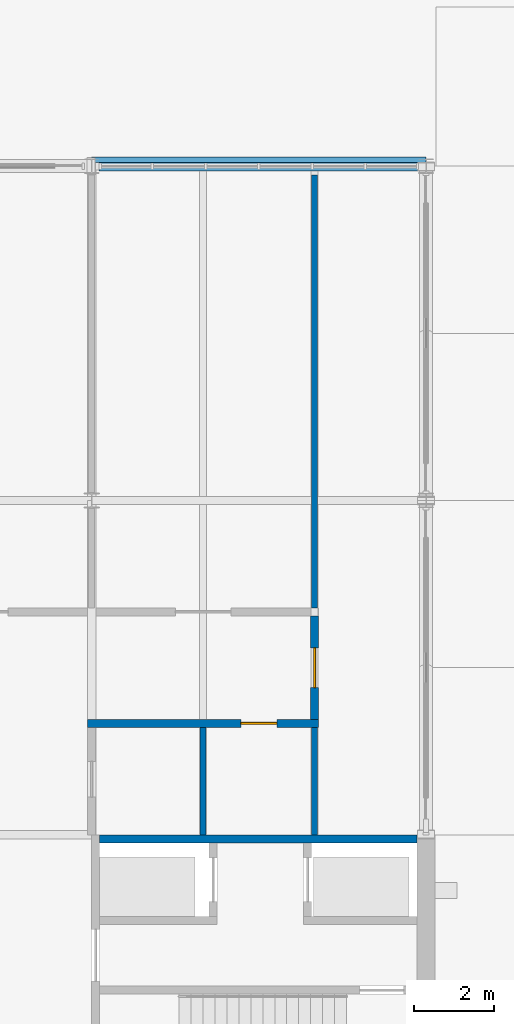
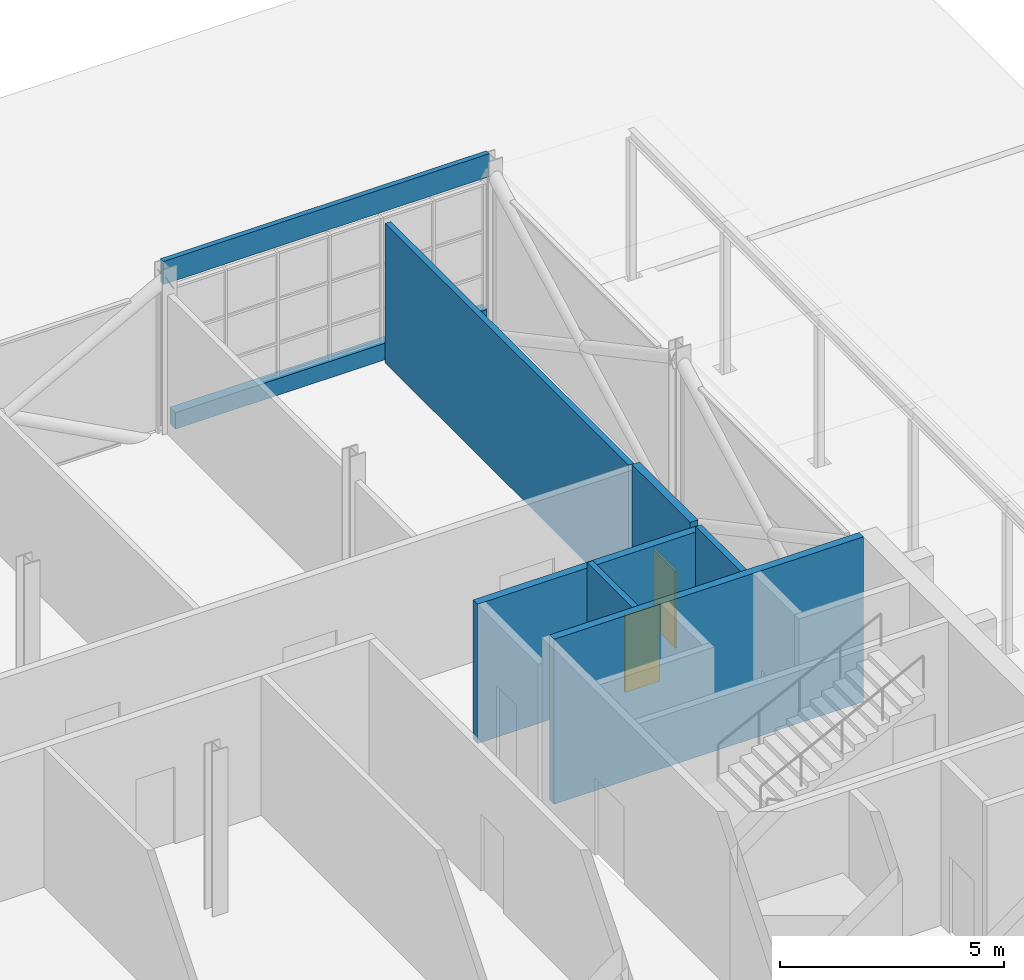
# One storey, part 96 of 116: 8 walls, 2 doors, 2 openings.
"""IFC4 building model written with IfcOpenShell, lengths in metres."""

from ifc_helpers import new_model, si_unit, direction, frame, frame_2d, origin, place, context, subcontext, project, spatial, rectangle, extrude, material, layer, layer_set, type_object, element, fill, save


model = new_model("IFC4")

# Units and contexts
model_context = context("Model", 3, precision=1e-05, world=origin(), true_north=direction((0.0, 1.0)))
body_context = subcontext(model_context, "Body", "Model", "MODEL_VIEW")
ifc_project = project(units=[si_unit("LENGTHUNIT", "METRE"), si_unit("AREAUNIT", "SQUARE_METRE"), si_unit("VOLUMEUNIT", "CUBIC_METRE"), si_unit("PLANEANGLEUNIT", "RADIAN"), si_unit("MASSUNIT", "GRAM", prefix="KILO")], contexts=[model_context])

# Site, building, storey
site_placement = place(None, origin())
site = spatial("IfcSite", under=ifc_project, at=site_placement, CompositionType="ELEMENT")
building_placement = place(site_placement, origin())
building = spatial("IfcBuilding", under=site, at=building_placement, Name="Ardhachandra Cancer Care Centre", CompositionType="ELEMENT")
storey_placement = place(building_placement, origin())
storey = spatial("IfcBuildingStorey", under=building, at=storey_placement, Name="L00", CompositionType="ELEMENT", Elevation=0.0)

# Wall, opening, door
ifc_material_1 = material(Name="Gypsum board corridor partition on steel studs", Category="steel")
ifc_layer_1 = layer(ifc_material_1, 0.199951171875)
ifc_layer_set_1 = layer_set([ifc_layer_1], Name="Gypsum board corridor partition on steel studs")
wall_type_1 = type_object("IfcWallType", Name="CORRIDOR WALL 200", PredefinedType="PARTITIONING", material=ifc_layer_set_1)
wall_1_placement = place(storey_placement, frame((136.699951171875, 91.0, 0.0), z_axis=(0.0, 0.0, 1.0), x_axis=(1.0, 0.0, 0.0)))
wall_1 = element("IfcWall", 1, at=wall_1_placement, inside=storey, type_object=wall_type_1, Name="R/wall/L00/h0091000_0136700", PredefinedType="PARTITIONING", context=body_context, shape_type="SweptSolid", body=[
    extrude(rectangle(XDim=5.800048828125, YDim=0.199951171875, at=frame_2d((2.89990234375, 0.0))), origin(), (0.0, 0.0, 1.0), 3.800048828125),
])
opening_1_placement = place(wall_1_placement, frame((3.85009765625, 0.0, 0.0)))
opening_1 = element("IfcOpeningElement", 2, at=opening_1_placement, cuts=wall_1, Name="Opening L00-0048", PredefinedType="OPENING", context=body_context, shape_type="SweptSolid", body=[
    extrude(rectangle(XDim=0.89990234375, YDim=2.10009765625, at=frame_2d((0.449951171875, 1.050048828125))), frame((0.0, 0.10986328125, 0.0), z_axis=(0.0, -1.0, 0.0), x_axis=(1.0, 0.0, 0.0)), (0.0, 0.0, 1.0), 0.219970703125),
])
ifc_material_2 = material(Name="Timber fire door with smoke seals", Category="wood")
door_type_1 = type_object("IfcDoorType", Name="FIRE DOOR WC 900x2100 FD30S", OperationType="NOTDEFINED", PredefinedType="DOOR", material=ifc_material_2)
door_1_placement = place(opening_1_placement, origin())
door_1 = element("IfcDoor", 3, at=door_1_placement, inside=storey, type_object=door_type_1, Name="Door L00-0048", OperationType="SINGLE_SWING_RIGHT", OverallHeight=2.10009765625, OverallWidth=0.89990234375, PredefinedType="DOOR", context=body_context, shape_type="SweptSolid", body=[
    extrude(rectangle(XDim=0.89990234375, YDim=2.10009765625, at=frame_2d((0.449951171875, 1.050048828125))), frame((0.0, 0.02490234375, 0.0), z_axis=(0.0, -1.0, 0.0), x_axis=(1.0, 0.0, 0.0)), (0.0, 0.0, 1.0), 0.050048828125),
])
fill(opening_1, door_1)

wall_2_placement = place(storey_placement, frame((142.39990234375, 91.10009765625, 0.0), z_axis=(0.0, 0.0, 1.0), x_axis=(0.0, 1.0, 0.0)))
wall_2 = element("IfcWall", 4, at=wall_2_placement, inside=storey, type_object=wall_type_1, Name="R/wall/L00/v0142400_0091100", PredefinedType="PARTITIONING", context=body_context, shape_type="SweptSolid", body=[
    extrude(rectangle(XDim=2.599853515625, YDim=0.199951171875, at=frame_2d((1.2998046875, 0.0))), origin(), (0.0, 0.0, 1.0), 3.949951171875),
])
opening_2_placement = place(wall_2_placement, frame((0.800048828125, 0.0, 0.0)))
opening_2 = element("IfcOpeningElement", 5, at=opening_2_placement, cuts=wall_2, Name="Opening L00-0092", PredefinedType="OPENING", context=body_context, shape_type="SweptSolid", body=[
    extrude(rectangle(XDim=1.0, YDim=2.10009765625, at=frame_2d((0.5, 1.050048828125))), frame((0.0, 0.10986328125, 0.0), z_axis=(0.0, -1.0, 0.0), x_axis=(1.0, 0.0, 0.0)), (0.0, 0.0, 1.0), 0.219970703125),
])
ifc_material_3 = material(Name="Timber fire door with smoke seals", Category="wood")
door_type_2 = type_object("IfcDoorType", Name="FIRE DOOR SINGLE 1000x2100 FD30S", OperationType="NOTDEFINED", PredefinedType="DOOR", material=ifc_material_3)
door_2_placement = place(opening_2_placement, origin())
door_2 = element("IfcDoor", 6, at=door_2_placement, inside=storey, type_object=door_type_2, Name="Door L00-0092", OperationType="SINGLE_SWING_LEFT", OverallHeight=2.10009765625, OverallWidth=1.0, PredefinedType="DOOR", context=body_context, shape_type="SweptSolid", body=[
    extrude(rectangle(XDim=1.0, YDim=2.10009765625, at=frame_2d((0.5, 1.050048828125))), frame((0.0, 0.02490234375, 0.0), z_axis=(0.0, -1.0, 0.0), x_axis=(1.0, 0.0, 0.0)), (0.0, 0.0, 1.0), 0.050048828125),
])
fill(opening_2, door_2)

# Walls
ifc_material_4 = material(Name="Concrete M40", Category="concrete")
ifc_layer_2 = layer(ifc_material_4, 0.199951171875)
ifc_layer_set_2 = layer_set([ifc_layer_2], Name="Concrete M40")
wall_type_2 = type_object("IfcWallType", Name="Core wall RC 200", PredefinedType="SOLIDWALL", material=ifc_layer_set_2)
wall_3_placement = place(storey_placement, frame((137.0, 88.10009765625, 0.0), z_axis=(0.0, 0.0, 1.0), x_axis=(1.0, 0.0, 0.0)))
element("IfcWall", 7, at=wall_3_placement, inside=storey, type_object=wall_type_2, Name="Core wall K13 UE", PredefinedType="SOLIDWALL", context=body_context, shape_type="SweptSolid", body=[
    extrude(rectangle(XDim=7.97509765625, YDim=0.199951171875, at=frame_2d((3.987548828125, 0.0))), origin(), (0.0, 0.0, 1.0), 4.5),
])
ifc_material_5 = material(Name="Precast Concrete M30 fascia panel with brick slip facing", Category="masonry")
ifc_layer_3 = layer(ifc_material_5, 0.1298828125)
ifc_layer_set_3 = layer_set([ifc_layer_3], Name="Precast Concrete M30 fascia panel with brick slip facing")
wall_type_3 = type_object("IfcWallType", Name="Edge beam fascia 130", PredefinedType="SOLIDWALL", material=ifc_layer_set_3)
wall_4_placement = place(storey_placement, frame((136.800048828125, 105.159912109375, 3.8701171875), z_axis=(0.0, 0.0, 1.0), x_axis=(1.0, 0.0, 0.0)))
element("IfcWall", 8, at=wall_4_placement, inside=storey, type_object=wall_type_3, Name="E/fascia/L00/n/0136800_0105000", PredefinedType="SOLIDWALL", context=body_context, shape_type="SweptSolid", body=[
    extrude(rectangle(XDim=8.39990234375, YDim=0.1298828125, at=frame_2d((4.199951171875, 0.0))), origin(), (0.0, 0.0, 1.0), 0.6298828125),
])
ifc_material_6 = material(Name="Gypsum board partition on steel studs", Category="steel")
ifc_layer_4 = layer(ifc_material_6, 0.14990234375)
ifc_layer_set_4 = layer_set([ifc_layer_4], Name="Gypsum board partition on steel studs")
wall_type_4 = type_object("IfcWallType", Name="PARTITION 150", PredefinedType="PARTITIONING", material=ifc_layer_set_4)
wall_5_placement = place(storey_placement, frame((142.39990234375, 93.89990234375, 0.0), z_axis=(0.0, 0.0, 1.0), x_axis=(0.0, 1.0, 0.0)))
element("IfcWall", 9, at=wall_5_placement, inside=storey, type_object=wall_type_4, Name="R/wall/L00/v0142400_0093900", PredefinedType="PARTITIONING", context=body_context, shape_type="SweptSolid", body=[
    extrude(rectangle(XDim=10.875, YDim=0.14990234375, at=frame_2d((5.4375, 0.0))), origin(), (0.0, 0.0, 1.0), 3.800048828125),
])
ifc_material_7 = material(Name="Granite facing on Concrete M30", Category="masonry")
ifc_layer_5 = layer(ifc_material_7, 0.25)
ifc_layer_set_5 = layer_set([ifc_layer_5], Name="Granite facing on Concrete M30")
wall_type_5 = type_object("IfcWallType", Name="Stone-faced plinth wall 250", PredefinedType="SOLIDWALL", material=ifc_layer_set_5)
wall_6_placement = place(storey_placement, frame((136.985595703125, 105.0, 0.0), z_axis=(0.0, 0.0, 1.0), x_axis=(1.0, 0.0, 0.0)))
element("IfcWall", 10, at=wall_6_placement, inside=storey, type_object=wall_type_5, Name="E/plinth/L00/n/0136800_0105000", PredefinedType="SOLIDWALL", context=body_context, shape_type="SweptSolid", body=[
    extrude(rectangle(XDim=8.02880859375, YDim=0.25, at=frame_2d((4.014404296875, 0.0))), origin(), (0.0, 0.0, 1.0), 0.449951171875),
])
ifc_material_8 = material(Name="Tiled gypsum board partition on steel studs", Category="steel")
ifc_layer_6 = layer(ifc_material_8, 0.14990234375)
ifc_layer_set_6 = layer_set([ifc_layer_6], Name="Tiled gypsum board partition on steel studs")
wall_type_6 = type_object("IfcWallType", Name="WET ROOM PARTITION 150", PredefinedType="PARTITIONING", material=ifc_layer_set_6)
for number, where, z_axis, x_axis, name in (
    (11, (139.60009765625, 88.199951171875, 0.0), (0.0, 0.0, 1.0), (0.0, 1.0, 0.0), "R/wall/L00/v0139600_0088200"),
    (12, (142.39990234375, 88.199951171875, 0.0), (0.0, 0.0, 1.0), (0.0, 1.0, 0.0), "R/wall/L00/v0142400_0088200"),
):
    element("IfcWall", number, at=place(storey_placement, frame(where, z_axis=z_axis, x_axis=x_axis)), inside=storey, type_object=wall_type_6, Name=name, PredefinedType="PARTITIONING", context=body_context, shape_type="SweptSolid", body=[
        extrude(rectangle(XDim=2.699951171875, YDim=0.14990234375, at=frame_2d((1.35009765625, 0.0))), origin(), (0.0, 0.0, 1.0), 3.949951171875),
    ])

save(model, "model.ifc")
